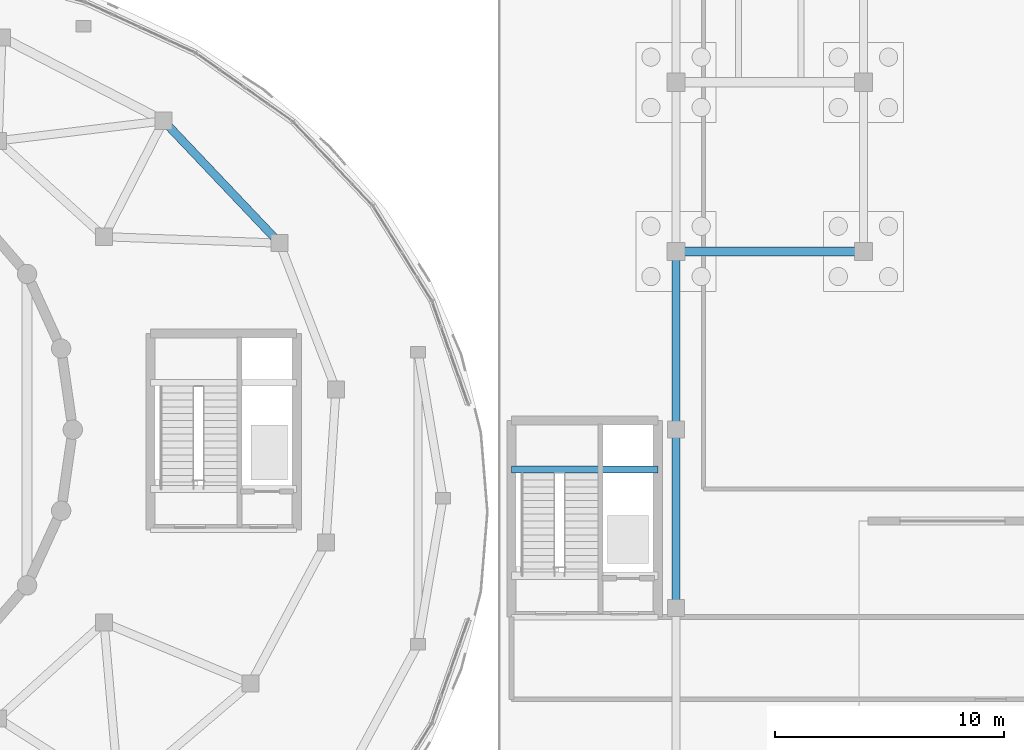
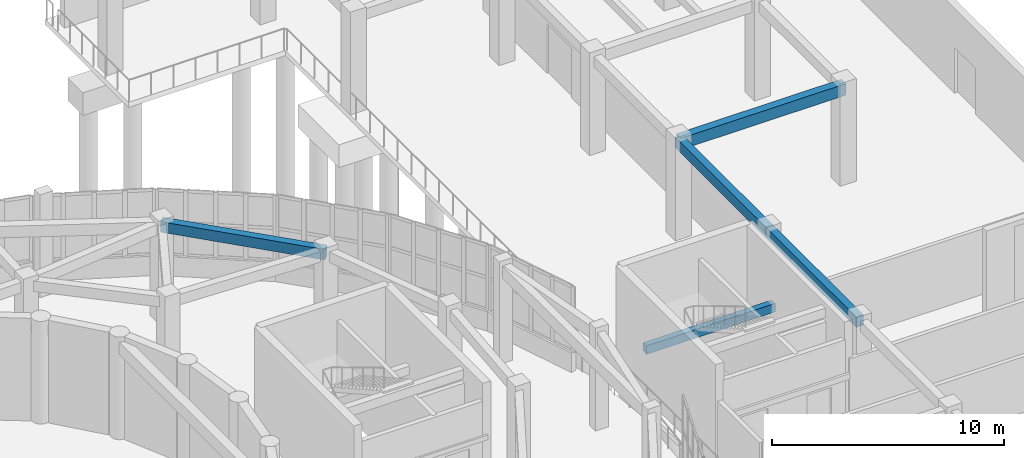
# One storey, part 56 of 96: 5 beams.
"""IFC4 building model written with IfcOpenShell, lengths in metres."""

import ifcopenshell
import ifcopenshell.guid

model = None  # the IFC model being written
_history = None  # IfcOwnerHistory: only IFC2X3 demands one
_inside = {}  # id of a spatial element -> (the spatial element, [elements in it])
_under = {}  # id of a project, library or spatial element -> (it, [spatial elements below it])
_declared = {}  # id of a project -> (the project, [libraries it declares])
_typed = {}  # id of a type object -> (the type object, [elements of that type])
_made_of = {}  # id of a material, layer set ... -> (it, [elements and type objects made of it])


def new_model(schema):
    """Start an empty IFC model of exactly this schema.

    Asked for "IFC4X3", IfcOpenShell would pick the latest addendum, in which some entities
    have other attributes; the version numbers below select the first issue.
    IFC2X3 requires an IfcOwnerHistory on every rooted entity: one is made here for all.
    """
    global model, _history
    if schema == "IFC4X3":
        model = ifcopenshell.file(schema_version=(4, 3, 0, 0))
    else:
        model = ifcopenshell.file(schema=schema)
    _inside.clear()
    _under.clear()
    _declared.clear()
    _typed.clear()
    _made_of.clear()
    _history = None
    if model.schema == "IFC2X3":
        org = make("IfcOrganization", Name="unknown")
        user = make(
            "IfcPersonAndOrganization",
            ThePerson=make("IfcPerson", FamilyName="unknown"),
            TheOrganization=org,
        )
        app = make(
            "IfcApplication",
            ApplicationDeveloper=org,
            Version="unknown",
            ApplicationFullName="unknown",
            ApplicationIdentifier="unknown",
        )
        _history = make(
            "IfcOwnerHistory",
            OwningUser=user,
            OwningApplication=app,
            ChangeAction="ADDED",
            CreationDate=0,
        )
    return model


def make(cls, **values):
    """One entity of the class cls with the attributes given. An attribute that is None is left unset."""
    return model.create_entity(
        cls, **{name: value for name, value in values.items() if value is not None}
    )


def rooted(cls, **values):
    """An entity with a GlobalId (a new one), such as an element, a storey or a relation."""
    return make(cls, GlobalId=ifcopenshell.guid.new(), OwnerHistory=_history, **values)


def si_unit(unit_type, name, prefix=None):
    """IfcSIUnit, for example si_unit("LENGTHUNIT", "METRE", prefix="MILLI")."""
    return make("IfcSIUnit", UnitType=unit_type, Prefix=prefix, Name=name)


def assignment(units):
    """IfcUnitAssignment: the units of a project."""
    return None if units is None else make("IfcUnitAssignment", Units=units)


def point(xyz):
    """IfcCartesianPoint."""
    return None if xyz is None else make("IfcCartesianPoint", Coordinates=xyz)


def direction(xyz):
    """IfcDirection."""
    return None if xyz is None else make("IfcDirection", DirectionRatios=xyz)


def frame(location, z_axis=None, x_axis=None):
    """IfcAxis2Placement3D, a coordinate frame: its origin and axes. An axis left out is left unset."""
    return make(
        "IfcAxis2Placement3D",
        Location=point(location),
        Axis=direction(z_axis),
        RefDirection=direction(x_axis),
    )


def frame_2d(location, x_axis=None):
    """IfcAxis2Placement2D, a coordinate frame in the plane: its origin and x axis."""
    return make(
        "IfcAxis2Placement2D", Location=point(location), RefDirection=direction(x_axis)
    )


def origin():
    """The frame at (0, 0, 0) with its axes left unset."""
    return frame((0.0, 0.0, 0.0))


def origin_2d():
    """The frame at (0, 0) in the plane with its x axis left unset."""
    return frame_2d((0.0, 0.0))


def place(relative_to, where):
    """IfcLocalPlacement: puts the frame where relative to a parent placement (None: the world)."""
    return make(
        "IfcLocalPlacement", PlacementRelTo=relative_to, RelativePlacement=where
    )


def context(
    kind, dimensions, precision=None, world=None, true_north=None, identifier=None
):
    """IfcGeometricRepresentationContext, for example the 3D "Model" context."""
    return make(
        "IfcGeometricRepresentationContext",
        ContextIdentifier=identifier,
        ContextType=kind,
        CoordinateSpaceDimension=dimensions,
        Precision=precision,
        WorldCoordinateSystem=world,
        TrueNorth=true_north,
    )


def subcontext(parent, identifier, kind, view, scale=None):
    """IfcGeometricRepresentationSubContext, for example "Body" below "Model"."""
    return make(
        "IfcGeometricRepresentationSubContext",
        ContextIdentifier=identifier,
        ContextType=kind,
        ParentContext=parent,
        TargetScale=scale,
        TargetView=view,
    )


def project(units=None, contexts=None):
    """IfcProject with its units and contexts."""
    return rooted(
        "IfcProject",
        Name="project",
        RepresentationContexts=contexts,
        UnitsInContext=assignment(units),
    )


def spatial(cls, under=None, at=None, **own):
    """A site, building, storey or space (cls), placed at a placement, below another one or the project."""
    s = rooted(cls, ObjectPlacement=at, **own)
    if under is not None:
        _under.setdefault(under.id(), (under, []))[1].append(s)
    return s


def profile(cls, at=None, kind="AREA", **sizes):
    """A parametric profile (cls). Its sizes go by their IFC names, for example OverallWidth=200.0."""
    return make(cls, ProfileType=kind, Position=at, **sizes)


def rectangle(**sizes):
    """IfcRectangleProfileDef."""
    return profile("IfcRectangleProfileDef", **sizes)


def extrude(swept, where, along, depth):
    """IfcExtrudedAreaSolid: the profile swept, set in the frame where, extruded along a direction by depth."""
    return make(
        "IfcExtrudedAreaSolid",
        SweptArea=swept,
        Position=where,
        ExtrudedDirection=direction(along),
        Depth=depth,
    )


def shape(context_of_items, identifier, shape_type, items):
    """IfcShapeRepresentation: the items that make up one representation, for example the "Body"."""
    return make(
        "IfcShapeRepresentation",
        ContextOfItems=context_of_items,
        RepresentationIdentifier=identifier,
        RepresentationType=shape_type,
        Items=items,
    )


def material(Name=None, Category=None):
    """IfcMaterial."""
    return make("IfcMaterial", Name=Name, Category=Category)


def material_profile(
    of_material, cross_section, Name=None, Category=None, Priority=None
):
    """IfcMaterialProfile: a cross section and its material."""
    return make(
        "IfcMaterialProfile",
        Name=Name,
        Material=of_material,
        Profile=cross_section,
        Priority=Priority,
        Category=Category,
    )


def profile_set(profiles, Name=None, composite=None):
    """IfcMaterialProfileSet."""
    return make(
        "IfcMaterialProfileSet",
        Name=Name,
        MaterialProfiles=profiles,
        CompositeProfile=composite,
    )


def made_of(thing, what):
    """Note that an element or type object is made of a material, layer set ...; save() writes the relation."""
    if what is not None:
        _made_of.setdefault(what.id(), (what, []))[1].append(thing)
    return thing


def type_object(cls, material=None, **own):
    """A type object (cls), such as IfcWallType, which elements share."""
    return made_of(rooted(cls, **own), material)


def element(
    cls,
    number,
    at=None,
    inside=None,
    cuts=None,
    type_object=None,
    material=None,
    context=None,
    identifier="Body",
    shape_type=None,
    held_by="IfcProductDefinitionShape",
    body=None,
    shapes=None,
    **own,
):
    """One element of the class cls, such as IfcWall. Its Tag is "e" and its number.

    at: its placement. inside: the storey or other place that contains it. cuts: it is an
    opening in that element (IfcRelVoidsElement). A single representation is given by context,
    identifier, shape_type and body (its items); several are given by shapes. held_by: the class
    of the entity that holds the representations. save() writes the other relations.
    """
    e = rooted(cls, Tag="e%d" % number, ObjectPlacement=at, **own)
    if body is not None:
        shapes = [shape(context, identifier, shape_type, body)]
    if shapes is not None:
        e.Representation = make(held_by, Representations=shapes)
    if inside is not None:
        _inside.setdefault(inside.id(), (inside, []))[1].append(e)
    if cuts is not None:
        rooted(
            "IfcRelVoidsElement", RelatingBuildingElement=cuts, RelatedOpeningElement=e
        )
    if type_object is not None:
        _typed.setdefault(type_object.id(), (type_object, []))[1].append(e)
    return made_of(e, material)


def aggregate(whole, parts):
    """IfcRelAggregates: a whole, such as a stair, and the parts it consists of."""
    return rooted("IfcRelAggregates", RelatingObject=whole, RelatedObjects=parts)


def save(model, path):
    """Write the relations noted so far, then the file.

    IfcRelAggregates (storeys below a building ...), IfcRelContainedInSpatialStructure (elements
    in a storey), IfcRelDefinesByType, IfcRelAssociatesMaterial and IfcRelDeclares: one each for
    every whole, place, type object, material and project.
    """
    for whole, parts in _under.values():
        aggregate(whole, parts)
    for where, things in _inside.values():
        rooted(
            "IfcRelContainedInSpatialStructure",
            RelatedElements=things,
            RelatingStructure=where,
        )
    for kind, things in _typed.values():
        rooted("IfcRelDefinesByType", RelatedObjects=things, RelatingType=kind)
    for what, things in _made_of.values():
        rooted("IfcRelAssociatesMaterial", RelatedObjects=things, RelatingMaterial=what)
    for by, libraries in _declared.values():
        rooted("IfcRelDeclares", RelatingContext=by, RelatedDefinitions=libraries)
    model.write(path)


model = new_model("IFC4")

# Units and contexts
model_context = context("Model", 3, precision=1e-05, world=origin(), true_north=direction((0.0, 1.0)))
body_context = subcontext(model_context, "Body", "Model", "MODEL_VIEW")
ifc_project = project(units=[si_unit("LENGTHUNIT", "METRE"), si_unit("AREAUNIT", "SQUARE_METRE"), si_unit("VOLUMEUNIT", "CUBIC_METRE"), si_unit("PLANEANGLEUNIT", "RADIAN"), si_unit("MASSUNIT", "GRAM", prefix="KILO")], contexts=[model_context])

# Site, building, storey
site_placement = place(None, origin())
site = spatial("IfcSite", under=ifc_project, at=site_placement, CompositionType="ELEMENT")
building_placement = place(site_placement, origin())
building = spatial("IfcBuilding", under=site, at=building_placement, Name="Pelvatis Terrace Science Centre", CompositionType="ELEMENT")
storey_placement = place(building_placement, origin())
storey = spatial("IfcBuildingStorey", under=building, at=storey_placement, Name="L00", CompositionType="ELEMENT", Elevation=0.0)

# Beams
ifc_material_1 = material(Name="Concrete C35/45", Category="concrete")
ifc_material_profile_1 = material_profile(ifc_material_1, rectangle(XDim=0.300048828125, YDim=0.449951171875, at=origin_2d()), Name="RC-BM 300x450")
ifc_profile_set_1 = profile_set([ifc_material_profile_1], Name="Concrete C35/45")
beam_type_1 = type_object("IfcBeamType", Name="BM-RC-300x450", PredefinedType="BEAM", material=ifc_profile_set_1)
beam_1_placement = place(storey_placement, frame((141.0, 84.050048828125, 2.27490234375), z_axis=(1.0, 0.0, 0.0), x_axis=(0.0, 1.0, 0.0)))
element("IfcBeam", 1, at=beam_1_placement, inside=storey, type_object=beam_type_1, Name="Core C3 half-landing beam (L00)", PredefinedType="BEAM", context=body_context, shape_type="SweptSolid", body=[
    extrude(rectangle(XDim=0.300048828125, YDim=0.449951171875, at=origin_2d()), origin(), (0.0, 0.0, 1.0), 6.39990234375),
])
ifc_material_2 = material(Name="Concrete C35/45", Category="concrete")
ifc_material_profile_2 = material_profile(ifc_material_2, rectangle(XDim=0.360107421875, YDim=0.550048828125, at=origin_2d()), Name="RC-BM 360x550")
ifc_profile_set_2 = profile_set([ifc_material_profile_2], Name="Concrete C35/45")
beam_type_2 = type_object("IfcBeamType", Name="BM-RC-360x550", PredefinedType="BEAM", material=ifc_profile_set_2)
beam_2_placement = place(storey_placement, frame((130.8515625, 93.9619140625, 4.864990234375), z_axis=(-0.688268468455, 0.725456074019, 0.0), x_axis=(-0.725456074019, -0.688268468455, 0.0)))
element("IfcBeam", 2, at=beam_2_placement, inside=storey, type_object=beam_type_2, Name="Beam BM-L00-2260", PredefinedType="BEAM", context=body_context, shape_type="SweptSolid", body=[
    extrude(rectangle(XDim=0.360107421875, YDim=0.550048828125, at=origin_2d()), origin(), (0.0, 0.0, 1.0), 7.379150390625),
])
for number, where, z_axis, x_axis, name in (
    (3, (148.199951171875, 78.0, 4.864990234375), (0.0, 1.0, 0.0), (-1.0, 0.0, 0.0), "Beam BM-L00-2498"),
    (4, (148.199951171875, 85.800048828125, 4.864990234375), (0.0, 1.0, 0.0), (-1.0, 0.0, 0.0), "Beam BM-L00-2499"),
):
    element("IfcBeam", number, at=place(storey_placement, frame(where, z_axis=z_axis, x_axis=x_axis)), inside=storey, type_object=beam_type_2, Name=name, PredefinedType="BEAM", context=body_context, shape_type="SweptSolid", body=[
        extrude(rectangle(XDim=0.360107421875, YDim=0.550048828125, at=origin_2d()), origin(), (0.0, 0.0, 1.0), 7.800048828125),
    ])
ifc_material_3 = material(Name="Concrete C35/45", Category="concrete")
ifc_material_profile_3 = material_profile(ifc_material_3, rectangle(XDim=0.39990234375, YDim=0.60009765625, at=origin_2d()), Name="RC-BM 400x600")
ifc_profile_set_3 = profile_set([ifc_material_profile_3], Name="Concrete C35/45")
beam_type_3 = type_object("IfcBeamType", Name="BM-RC-400x600", PredefinedType="BEAM", material=ifc_profile_set_3)
beam_3_placement = place(storey_placement, frame((148.199951171875, 93.60009765625, 4.840087890625), z_axis=(1.0, 0.0, 0.0), x_axis=(0.0, 1.0, 0.0)))
element("IfcBeam", 5, at=beam_3_placement, inside=storey, type_object=beam_type_3, Name="Beam BM-L00-2501", PredefinedType="BEAM", context=body_context, shape_type="SweptSolid", body=[
    extrude(rectangle(XDim=0.39990234375, YDim=0.60009765625, at=origin_2d()), origin(), (0.0, 0.0, 1.0), 8.199951171875),
])

save(model, "model.ifc")
